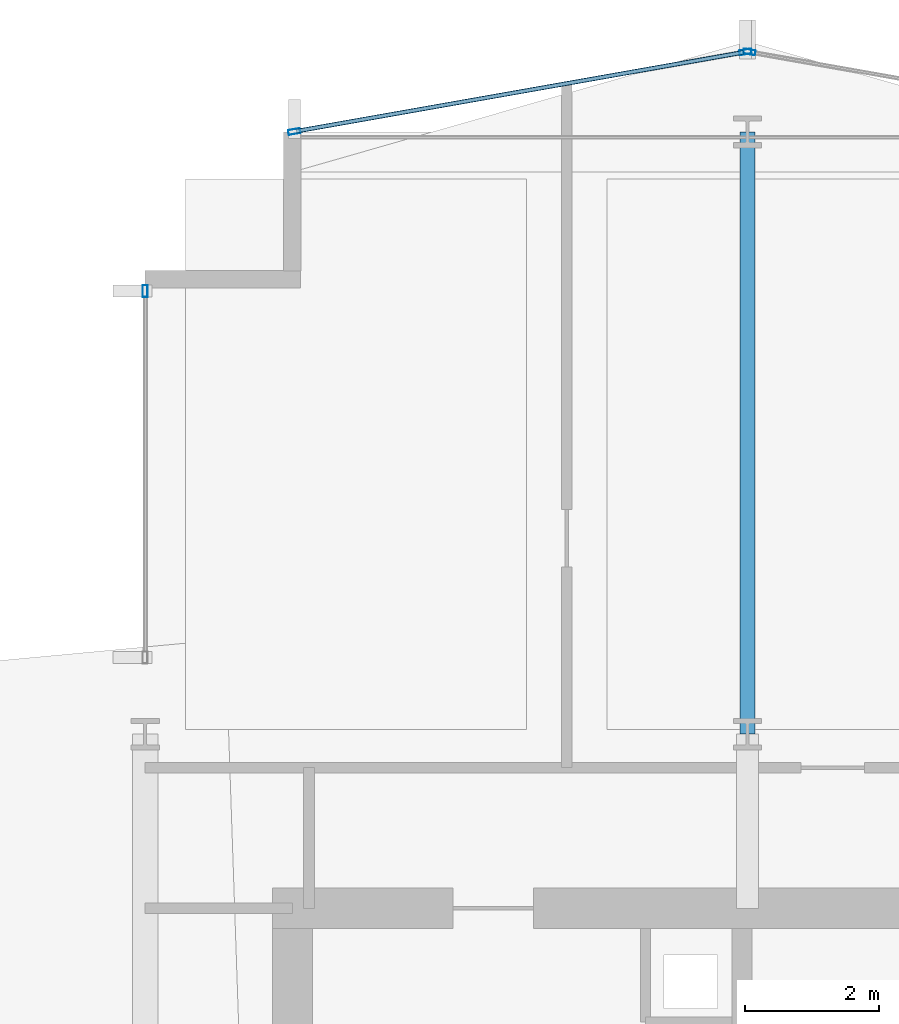
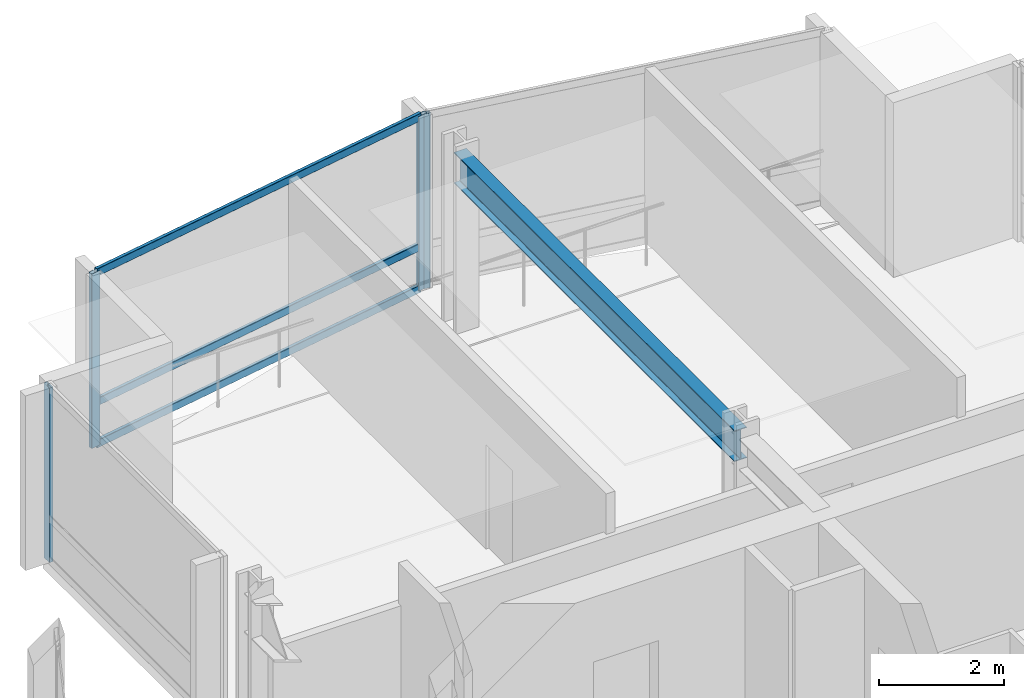
# One storey, part 23 of 34: 7 members, 1 beam, 3 elements without a shape of their own.
"""IFC4 building model written with IfcOpenShell, lengths in metres."""

from ifc_helpers import new_model, si_unit, direction, frame, origin, origin_2d, place, context, subcontext, project, spatial, hollow_rectangle, i_section, extrude, material, layer, layer_set, material_profile, profile_set, type_object, element, aggregate, save


model = new_model("IFC4")

# Units and contexts
model_context = context("Model", 3, precision=1e-05, world=origin(), true_north=direction((0.0, 1.0)))
body_context = subcontext(model_context, "Body", "Model", "MODEL_VIEW")
ifc_project = project(units=[si_unit("LENGTHUNIT", "METRE"), si_unit("AREAUNIT", "SQUARE_METRE"), si_unit("VOLUMEUNIT", "CUBIC_METRE"), si_unit("PLANEANGLEUNIT", "RADIAN"), si_unit("MASSUNIT", "GRAM", prefix="KILO")], contexts=[model_context])

# Site, building, storey
site_placement = place(None, origin())
site = spatial("IfcSite", under=ifc_project, at=site_placement, CompositionType="ELEMENT")
building_placement = place(site_placement, origin())
building = spatial("IfcBuilding", under=site, at=building_placement, Name="Solvaryn Broadcast Tower", CompositionType="ELEMENT")
storey_placement = place(building_placement, frame((0.0, 0.0, 89.10009765625)))
storey = spatial("IfcBuildingStorey", under=building, at=storey_placement, Name="L21", CompositionType="ELEMENT", Elevation=89.10009765625)

# Beam
ifc_material_1 = material(Name="Steel ASTM A992 Grade 50", Category="steel")
ifc_material_profile_1 = material_profile(ifc_material_1, i_section(OverallWidth=0.22802734375, OverallDepth=0.60791015625, WebThickness=0.01123046875, FlangeThickness=0.017333984375, FilletRadius=0.014892578125, at=origin_2d()))
ifc_profile_set_1 = profile_set([ifc_material_profile_1], Name="Steel ASTM A992 Grade 50")
beam_type = type_object("IfcBeamType", Name="BM-B2-W24X76", PredefinedType="BEAM", material=ifc_profile_set_1)
beam_placement = place(storey_placement, frame((18.0, 45.0, 3.115966796875), z_axis=(0.0, 1.0, 0.0), x_axis=(-1.0, 0.0, 0.0)))
element("IfcBeam", 1, at=beam_placement, inside=storey, type_object=beam_type, Name="L21 Primary Beam Y (45-54 @ X=18)", PredefinedType="BEAM", context=body_context, shape_type="SweptSolid", body=[
    extrude(i_section(OverallWidth=0.22802734375, OverallDepth=0.60791015625, WebThickness=0.01123046875, FlangeThickness=0.017333984375, FilletRadius=0.014892578125, at=origin_2d()), origin(), (0.0, 0.0, 1.0), 9.0),
])

# Curtain wall, member
ifc_material_2 = material(Name="Aluminium and Terracotta Unitised Curtain Wall", Category="masonry")
ifc_layer = layer(ifc_material_2, 0.199951171875)
ifc_layer_set = layer_set([ifc_layer], Name="CW-SYS2-LOWMID")
curtain_wall_type = type_object("IfcCurtainWallType", Name="CW-SYS2-LOWMID", PredefinedType="NOTDEFINED", material=ifc_layer_set)
curtain_wall_1_placement = place(storey_placement, origin())
curtain_wall_1 = element("IfcCurtainWall", 2, at=curtain_wall_1_placement, inside=storey, type_object=curtain_wall_type, Name="L21 Curtain Wall W2", PredefinedType="NOTDEFINED")
ifc_material_3 = material(Name="Anodised Aluminium 6063-T6", Category="aluminium")
ifc_material_profile_2 = material_profile(ifc_material_3, hollow_rectangle(XDim=0.074951171875, YDim=0.179931640625, WallThickness=0.00390625, InnerFilletRadius=0.00390625, OuterFilletRadius=0.008056640625, at=origin_2d()))
ifc_profile_set_2 = profile_set([ifc_material_profile_2], Name="Anodised Aluminium 6063-T6")
member_type_1 = type_object("IfcMemberType", Name="CW-MUL-180", PredefinedType="MULLION", material=ifc_profile_set_2)
member_1_placement = place(storey_placement, frame((9.0, 51.6201171875, 0.0), z_axis=(0.0, 0.0, 1.0), x_axis=(-1.0, 0.0, 0.0)))
member_1 = element("IfcMember", 3, at=member_1_placement, type_object=member_type_1, Name="CWS2 mullion 2", PredefinedType="MULLION", context=body_context, shape_type="SweptSolid", body=[
    extrude(hollow_rectangle(XDim=0.074951171875, YDim=0.179931640625, WallThickness=0.00390625, InnerFilletRadius=0.00390625, OuterFilletRadius=0.008056640625, at=origin_2d()), origin(), (0.0, 0.0, 1.0), 3.419921875),
])
aggregate(curtain_wall_1, [member_1])

curtain_wall_2_placement = place(storey_placement, origin())
curtain_wall_2 = element("IfcCurtainWall", 4, at=curtain_wall_2_placement, inside=storey, type_object=curtain_wall_type, Name="L21 Curtain Wall NT1", PredefinedType="NOTDEFINED")
member_2_placement = place(storey_placement, frame((18.029541015625, 55.19482421875, 0.0), z_axis=(0.0, 0.0, 1.0), x_axis=(-0.173785333901, -0.984783558819, 0.0)))
member_2 = element("IfcMember", 5, at=member_2_placement, type_object=member_type_1, Name="CWS2 mullion 2", PredefinedType="MULLION", context=body_context, shape_type="SweptSolid", body=[
    extrude(hollow_rectangle(XDim=0.074951171875, YDim=0.179931640625, WallThickness=0.00390625, InnerFilletRadius=0.00390625, OuterFilletRadius=0.008056640625, at=origin_2d()), origin(), (0.0, 0.0, 1.0), 3.419921875),
])
aggregate(curtain_wall_2, [member_2])

# Curtain wall, members
curtain_wall_3_placement = place(storey_placement, origin())
curtain_wall_3 = element("IfcCurtainWall", 6, at=curtain_wall_3_placement, inside=storey, type_object=curtain_wall_type, Name="L21 Curtain Wall NT2", PredefinedType="NOTDEFINED")
member_3_placement = place(storey_placement, frame((17.970458984375, 55.19482421875, 0.0), z_axis=(0.0, 0.0, 1.0), x_axis=(0.173785333901, -0.984783558819, 0.0)))
member_3 = element("IfcMember", 7, at=member_3_placement, type_object=member_type_1, Name="CWS2 mullion 1", PredefinedType="MULLION", context=body_context, shape_type="SweptSolid", body=[
    extrude(hollow_rectangle(XDim=0.074951171875, YDim=0.179931640625, WallThickness=0.00390625, InnerFilletRadius=0.00390625, OuterFilletRadius=0.008056640625, at=origin_2d()), origin(), (0.0, 0.0, 1.0), 3.419921875),
])
member_4_placement = place(storey_placement, frame((11.2294921875, 54.005126953125, 0.0), z_axis=(0.0, 0.0, 1.0), x_axis=(0.173785333901, -0.984783558819, 0.0)))
member_4 = element("IfcMember", 8, at=member_4_placement, type_object=member_type_1, Name="CWS2 mullion 2", PredefinedType="MULLION", context=body_context, shape_type="SweptSolid", body=[
    extrude(hollow_rectangle(XDim=0.074951171875, YDim=0.179931640625, WallThickness=0.00390625, InnerFilletRadius=0.00390625, OuterFilletRadius=0.008056640625, at=origin_2d()), origin(), (0.0, 0.0, 1.0), 3.419921875),
])
ifc_material_4 = material(Name="Anodised Aluminium 6063-T6", Category="aluminium")
ifc_material_profile_3 = material_profile(ifc_material_4, hollow_rectangle(XDim=0.06494140625, YDim=0.14990234375, WallThickness=0.00390625, InnerFilletRadius=0.00390625, OuterFilletRadius=0.008056640625, at=origin_2d()))
ifc_profile_set_3 = profile_set([ifc_material_profile_3], Name="Anodised Aluminium 6063-T6")
member_type_2 = type_object("IfcMemberType", Name="CW-TRN-150", PredefinedType="USERDEFINED", material=ifc_profile_set_3)
member_5_placement = place(storey_placement, frame((17.94091796875, 55.189453125, 0.02978515625), z_axis=(-0.984788629673, -0.173756596613, 0.0), x_axis=(0.173756596613, -0.984788629673, 0.0)))
member_5 = element("IfcMember", 9, at=member_5_placement, type_object=member_type_2, Name="CWS2 transom 1.1", ObjectType="TRANSOM", PredefinedType="USERDEFINED", context=body_context, shape_type="SweptSolid", body=[
    extrude(hollow_rectangle(XDim=0.06494140625, YDim=0.14990234375, WallThickness=0.00390625, InnerFilletRadius=0.00390625, OuterFilletRadius=0.008056640625, at=origin_2d()), origin(), (0.0, 0.0, 1.0), 6.78515625),
])
member_6_placement = place(storey_placement, frame((17.94091796875, 55.189453125, 0.849853515625), z_axis=(-0.984788629673, -0.173756596613, 0.0), x_axis=(0.173756596613, -0.984788629673, 0.0)))
member_6 = element("IfcMember", 10, at=member_6_placement, type_object=member_type_2, Name="CWS2 transom 1.2", ObjectType="TRANSOM", PredefinedType="USERDEFINED", context=body_context, shape_type="SweptSolid", body=[
    extrude(hollow_rectangle(XDim=0.06494140625, YDim=0.14990234375, WallThickness=0.00390625, InnerFilletRadius=0.00390625, OuterFilletRadius=0.008056640625, at=origin_2d()), origin(), (0.0, 0.0, 1.0), 6.78515625),
])
member_7_placement = place(storey_placement, frame((17.94091796875, 55.189453125, 3.389892578125), z_axis=(-0.984788629673, -0.173756596613, 0.0), x_axis=(0.173756596613, -0.984788629673, 0.0)))
member_7 = element("IfcMember", 11, at=member_7_placement, type_object=member_type_2, Name="CWS2 transom 1.3", ObjectType="TRANSOM", PredefinedType="USERDEFINED", context=body_context, shape_type="SweptSolid", body=[
    extrude(hollow_rectangle(XDim=0.06494140625, YDim=0.14990234375, WallThickness=0.00390625, InnerFilletRadius=0.00390625, OuterFilletRadius=0.008056640625, at=origin_2d()), origin(), (0.0, 0.0, 1.0), 6.78515625),
])
aggregate(curtain_wall_3, [member_3, member_4, member_5, member_6, member_7])

save(model, "model.ifc")
